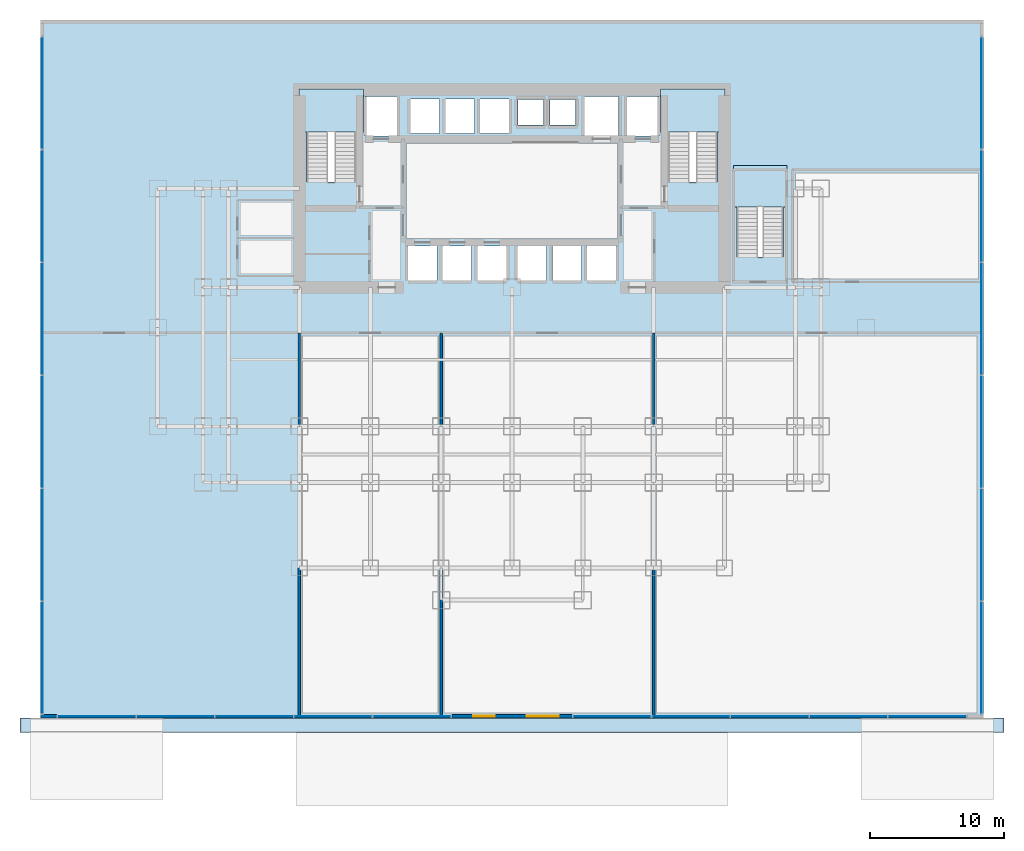
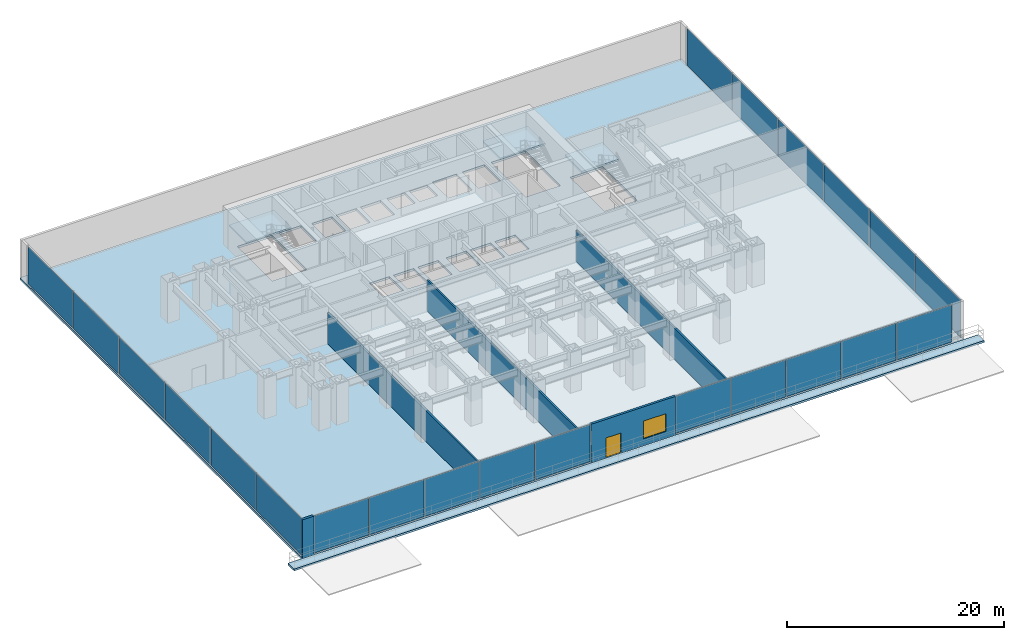
# One storey, part 8 of 13: 22 plates, 5 slabs, 5 walls, 1 door, 1 window, 2 openings, 7 elements without a shape of their own.
"""IFC4 building model written with IfcOpenShell, lengths in metres."""

import ifcopenshell
import ifcopenshell.guid

model = None  # the IFC model being written
_history = None  # IfcOwnerHistory: only IFC2X3 demands one
_inside = {}  # id of a spatial element -> (the spatial element, [elements in it])
_under = {}  # id of a project, library or spatial element -> (it, [spatial elements below it])
_declared = {}  # id of a project -> (the project, [libraries it declares])
_typed = {}  # id of a type object -> (the type object, [elements of that type])
_made_of = {}  # id of a material, layer set ... -> (it, [elements and type objects made of it])


def new_model(schema):
    """Start an empty IFC model of exactly this schema.

    Asked for "IFC4X3", IfcOpenShell would pick the latest addendum, in which some entities
    have other attributes; the version numbers below select the first issue.
    IFC2X3 requires an IfcOwnerHistory on every rooted entity: one is made here for all.
    """
    global model, _history
    if schema == "IFC4X3":
        model = ifcopenshell.file(schema_version=(4, 3, 0, 0))
    else:
        model = ifcopenshell.file(schema=schema)
    _inside.clear()
    _under.clear()
    _declared.clear()
    _typed.clear()
    _made_of.clear()
    _history = None
    if model.schema == "IFC2X3":
        org = make("IfcOrganization", Name="unknown")
        user = make(
            "IfcPersonAndOrganization",
            ThePerson=make("IfcPerson", FamilyName="unknown"),
            TheOrganization=org,
        )
        app = make(
            "IfcApplication",
            ApplicationDeveloper=org,
            Version="unknown",
            ApplicationFullName="unknown",
            ApplicationIdentifier="unknown",
        )
        _history = make(
            "IfcOwnerHistory",
            OwningUser=user,
            OwningApplication=app,
            ChangeAction="ADDED",
            CreationDate=0,
        )
    return model


def make(cls, **values):
    """One entity of the class cls with the attributes given. An attribute that is None is left unset."""
    return model.create_entity(
        cls, **{name: value for name, value in values.items() if value is not None}
    )


def rooted(cls, **values):
    """An entity with a GlobalId (a new one), such as an element, a storey or a relation."""
    return make(cls, GlobalId=ifcopenshell.guid.new(), OwnerHistory=_history, **values)


def si_unit(unit_type, name, prefix=None):
    """IfcSIUnit, for example si_unit("LENGTHUNIT", "METRE", prefix="MILLI")."""
    return make("IfcSIUnit", UnitType=unit_type, Prefix=prefix, Name=name)


def assignment(units):
    """IfcUnitAssignment: the units of a project."""
    return None if units is None else make("IfcUnitAssignment", Units=units)


def point(xyz):
    """IfcCartesianPoint."""
    return None if xyz is None else make("IfcCartesianPoint", Coordinates=xyz)


def direction(xyz):
    """IfcDirection."""
    return None if xyz is None else make("IfcDirection", DirectionRatios=xyz)


def frame(location, z_axis=None, x_axis=None):
    """IfcAxis2Placement3D, a coordinate frame: its origin and axes. An axis left out is left unset."""
    return make(
        "IfcAxis2Placement3D",
        Location=point(location),
        Axis=direction(z_axis),
        RefDirection=direction(x_axis),
    )


def frame_2d(location, x_axis=None):
    """IfcAxis2Placement2D, a coordinate frame in the plane: its origin and x axis."""
    return make(
        "IfcAxis2Placement2D", Location=point(location), RefDirection=direction(x_axis)
    )


def origin():
    """The frame at (0, 0, 0) with its axes left unset."""
    return frame((0.0, 0.0, 0.0))


def origin_2d():
    """The frame at (0, 0) in the plane with its x axis left unset."""
    return frame_2d((0.0, 0.0))


def place(relative_to, where):
    """IfcLocalPlacement: puts the frame where relative to a parent placement (None: the world)."""
    return make(
        "IfcLocalPlacement", PlacementRelTo=relative_to, RelativePlacement=where
    )


def context(
    kind, dimensions, precision=None, world=None, true_north=None, identifier=None
):
    """IfcGeometricRepresentationContext, for example the 3D "Model" context."""
    return make(
        "IfcGeometricRepresentationContext",
        ContextIdentifier=identifier,
        ContextType=kind,
        CoordinateSpaceDimension=dimensions,
        Precision=precision,
        WorldCoordinateSystem=world,
        TrueNorth=true_north,
    )


def subcontext(parent, identifier, kind, view, scale=None):
    """IfcGeometricRepresentationSubContext, for example "Body" below "Model"."""
    return make(
        "IfcGeometricRepresentationSubContext",
        ContextIdentifier=identifier,
        ContextType=kind,
        ParentContext=parent,
        TargetScale=scale,
        TargetView=view,
    )


def project(units=None, contexts=None):
    """IfcProject with its units and contexts."""
    return rooted(
        "IfcProject",
        Name="project",
        RepresentationContexts=contexts,
        UnitsInContext=assignment(units),
    )


def spatial(cls, under=None, at=None, **own):
    """A site, building, storey or space (cls), placed at a placement, below another one or the project."""
    s = rooted(cls, ObjectPlacement=at, **own)
    if under is not None:
        _under.setdefault(under.id(), (under, []))[1].append(s)
    return s


def polyline(points):
    """IfcPolyline through the points."""
    return make("IfcPolyline", Points=[point(p) for p in points])


def profile(cls, at=None, kind="AREA", **sizes):
    """A parametric profile (cls). Its sizes go by their IFC names, for example OverallWidth=200.0."""
    return make(cls, ProfileType=kind, Position=at, **sizes)


def rectangle(**sizes):
    """IfcRectangleProfileDef."""
    return profile("IfcRectangleProfileDef", **sizes)


def outline(outer, holes=None, kind="AREA"):
    """IfcArbitraryClosedProfileDef: a profile drawn as a closed curve; with holes, ...WithVoids."""
    if holes is None:
        return make("IfcArbitraryClosedProfileDef", ProfileType=kind, OuterCurve=outer)
    return make(
        "IfcArbitraryProfileDefWithVoids",
        ProfileType=kind,
        OuterCurve=outer,
        InnerCurves=holes,
    )


def extrude(swept, where, along, depth):
    """IfcExtrudedAreaSolid: the profile swept, set in the frame where, extruded along a direction by depth."""
    return make(
        "IfcExtrudedAreaSolid",
        SweptArea=swept,
        Position=where,
        ExtrudedDirection=direction(along),
        Depth=depth,
    )


def shape(context_of_items, identifier, shape_type, items):
    """IfcShapeRepresentation: the items that make up one representation, for example the "Body"."""
    return make(
        "IfcShapeRepresentation",
        ContextOfItems=context_of_items,
        RepresentationIdentifier=identifier,
        RepresentationType=shape_type,
        Items=items,
    )


def source(mapping_origin, context_of_items, identifier, shape_type, items):
    """IfcRepresentationMap: a shape defined once, which mapped items show again and again."""
    return make(
        "IfcRepresentationMap",
        MappingOrigin=mapping_origin,
        MappedRepresentation=shape(context_of_items, identifier, shape_type, items),
    )


def transform(
    local_origin,
    x_axis=None,
    y_axis=None,
    z_axis=None,
    scale=None,
    scale2=None,
    scale3=None,
    uniform=True,
):
    """IfcCartesianTransformationOperator3D, or its non-uniform kind. x_axis, y_axis, z_axis: its Axis1, 2, 3."""
    if uniform:
        return make(
            "IfcCartesianTransformationOperator3D",
            Axis1=direction(x_axis),
            Axis2=direction(y_axis),
            LocalOrigin=point(local_origin),
            Scale=scale,
            Axis3=direction(z_axis),
        )
    return make(
        "IfcCartesianTransformationOperator3DnonUniform",
        Axis1=direction(x_axis),
        Axis2=direction(y_axis),
        LocalOrigin=point(local_origin),
        Scale=scale,
        Axis3=direction(z_axis),
        Scale2=scale2,
        Scale3=scale3,
    )


def mapped(mapping_source, mapping_target):
    """IfcMappedItem: shows the shape of a source again, moved by a transform."""
    return make(
        "IfcMappedItem", MappingSource=mapping_source, MappingTarget=mapping_target
    )


def material(Name=None, Category=None):
    """IfcMaterial."""
    return make("IfcMaterial", Name=Name, Category=Category)


def layer(
    of_material, thickness, ventilated=None, Name=None, Category=None, Priority=None
):
    """IfcMaterialLayer: one layer of a wall or slab, of a material (None: an air gap)."""
    return make(
        "IfcMaterialLayer",
        Material=of_material,
        LayerThickness=thickness,
        IsVentilated=ventilated,
        Name=Name,
        Category=Category,
        Priority=Priority,
    )


def layer_set(layers, Name=None):
    """IfcMaterialLayerSet."""
    return make("IfcMaterialLayerSet", MaterialLayers=layers, LayerSetName=Name)


def made_of(thing, what):
    """Note that an element or type object is made of a material, layer set ...; save() writes the relation."""
    if what is not None:
        _made_of.setdefault(what.id(), (what, []))[1].append(thing)
    return thing


def type_object(cls, material=None, **own):
    """A type object (cls), such as IfcWallType, which elements share."""
    return made_of(rooted(cls, **own), material)


def element(
    cls,
    number,
    at=None,
    inside=None,
    cuts=None,
    type_object=None,
    material=None,
    context=None,
    identifier="Body",
    shape_type=None,
    held_by="IfcProductDefinitionShape",
    body=None,
    shapes=None,
    **own,
):
    """One element of the class cls, such as IfcWall. Its Tag is "e" and its number.

    at: its placement. inside: the storey or other place that contains it. cuts: it is an
    opening in that element (IfcRelVoidsElement). A single representation is given by context,
    identifier, shape_type and body (its items); several are given by shapes. held_by: the class
    of the entity that holds the representations. save() writes the other relations.
    """
    e = rooted(cls, Tag="e%d" % number, ObjectPlacement=at, **own)
    if body is not None:
        shapes = [shape(context, identifier, shape_type, body)]
    if shapes is not None:
        e.Representation = make(held_by, Representations=shapes)
    if inside is not None:
        _inside.setdefault(inside.id(), (inside, []))[1].append(e)
    if cuts is not None:
        rooted(
            "IfcRelVoidsElement", RelatingBuildingElement=cuts, RelatedOpeningElement=e
        )
    if type_object is not None:
        _typed.setdefault(type_object.id(), (type_object, []))[1].append(e)
    return made_of(e, material)


def fill(opening, filler):
    """IfcRelFillsElement: the door or window that sits in an opening."""
    return rooted(
        "IfcRelFillsElement",
        RelatingOpeningElement=opening,
        RelatedBuildingElement=filler,
    )


def aggregate(whole, parts):
    """IfcRelAggregates: a whole, such as a stair, and the parts it consists of."""
    return rooted("IfcRelAggregates", RelatingObject=whole, RelatedObjects=parts)


def save(model, path):
    """Write the relations noted so far, then the file.

    IfcRelAggregates (storeys below a building ...), IfcRelContainedInSpatialStructure (elements
    in a storey), IfcRelDefinesByType, IfcRelAssociatesMaterial and IfcRelDeclares: one each for
    every whole, place, type object, material and project.
    """
    for whole, parts in _under.values():
        aggregate(whole, parts)
    for where, things in _inside.values():
        rooted(
            "IfcRelContainedInSpatialStructure",
            RelatedElements=things,
            RelatingStructure=where,
        )
    for kind, things in _typed.values():
        rooted("IfcRelDefinesByType", RelatedObjects=things, RelatingType=kind)
    for what, things in _made_of.values():
        rooted("IfcRelAssociatesMaterial", RelatedObjects=things, RelatingMaterial=what)
    for by, libraries in _declared.values():
        rooted("IfcRelDeclares", RelatingContext=by, RelatedDefinitions=libraries)
    model.write(path)


model = new_model("IFC4")

# Units and contexts
model_context = context("Model", 3, precision=1e-05, world=origin(), true_north=direction((0.0, 1.0)))
body_context = subcontext(model_context, "Body", "Model", "MODEL_VIEW")
ifc_project = project(units=[si_unit("LENGTHUNIT", "METRE"), si_unit("AREAUNIT", "SQUARE_METRE"), si_unit("VOLUMEUNIT", "CUBIC_METRE"), si_unit("PLANEANGLEUNIT", "RADIAN"), si_unit("MASSUNIT", "GRAM", prefix="KILO")], contexts=[model_context])

# Site, building, storey
site_placement = place(None, origin())
site = spatial("IfcSite", under=ifc_project, at=site_placement, CompositionType="ELEMENT")
building_placement = place(site_placement, origin())
building = spatial("IfcBuilding", under=site, at=building_placement, Name="Qianlan Lanfeng Residences", CompositionType="ELEMENT")
storey_placement = place(building_placement, frame((0.0, 0.0, 5.199951171875)))
storey = spatial("IfcBuildingStorey", under=building, at=storey_placement, Name="L01", CompositionType="ELEMENT", Elevation=5.199951171875)

# Slab
ifc_material_1 = material(Name="Concrete C49", Category="concrete")
ifc_layer_1 = layer(ifc_material_1, 0.25)
ifc_layer_set_1 = layer_set([ifc_layer_1], Name="Concrete C49")
slab_type_1 = type_object("IfcSlabType", Name="S-FL-250", PredefinedType="FLOOR", material=ifc_layer_set_1)
slab_1_placement = place(storey_placement, frame((0.0, 0.0, -0.25)))
element("IfcSlab", 1, at=slab_1_placement, inside=storey, type_object=slab_type_1, Name="L01 Structural Floor Slab", PredefinedType="FLOOR", context=body_context, shape_type="SweptSolid", body=[
    extrude(outline(polyline([(-8.75, -7.0), (61.75, -7.0), (61.75, 45.199951171875), (-8.75, 45.199951171875), (-8.75, -7.0)]), holes=[polyline([(11.139892578125, 33.080078125), (11.139892578125, 39.5), (14.820068359375, 39.5), (14.820068359375, 33.080078125), (11.139892578125, 33.080078125)]), polyline([(38.179931640625, 33.080078125), (38.179931640625, 39.5), (41.860107421875, 39.5), (41.860107421875, 33.080078125), (38.179931640625, 33.080078125)]), polyline([(43.320068359375, 27.47998046875), (43.320068359375, 33.780029296875), (46.800048828125, 33.780029296875), (46.800048828125, 27.47998046875), (43.320068359375, 27.47998046875)]), polyline([(15.52001953125, 36.52001953125), (15.52001953125, 39.47998046875), (17.8798828125, 39.47998046875), (17.8798828125, 36.52001953125), (15.52001953125, 36.52001953125)]), polyline([(35.1201171875, 36.52001953125), (35.1201171875, 39.47998046875), (37.47998046875, 39.47998046875), (37.47998046875, 36.52001953125), (35.1201171875, 36.52001953125)]), polyline([(31.919921875, 36.52001953125), (31.919921875, 39.47998046875), (34.47998046875, 39.47998046875), (34.47998046875, 36.52001953125), (31.919921875, 36.52001953125)]), polyline([(18.719970703125, 25.719970703125), (18.719970703125, 28.280029296875), (20.8798828125, 28.280029296875), (20.8798828125, 25.719970703125), (18.719970703125, 25.719970703125)]), polyline([(21.320068359375, 25.719970703125), (21.320068359375, 28.280029296875), (23.47998046875, 28.280029296875), (23.47998046875, 25.719970703125), (21.320068359375, 25.719970703125)]), polyline([(23.919921875, 25.719970703125), (23.919921875, 28.280029296875), (26.080078125, 28.280029296875), (26.080078125, 25.719970703125), (23.919921875, 25.719970703125)]), polyline([(26.919921875, 25.719970703125), (26.919921875, 28.280029296875), (29.080078125, 28.280029296875), (29.080078125, 25.719970703125), (26.919921875, 25.719970703125)]), polyline([(29.52001953125, 25.719970703125), (29.52001953125, 28.280029296875), (31.679931640625, 28.280029296875), (31.679931640625, 25.719970703125), (29.52001953125, 25.719970703125)]), polyline([(32.1201171875, 25.719970703125), (32.1201171875, 28.280029296875), (34.280029296875, 28.280029296875), (34.280029296875, 25.719970703125), (32.1201171875, 25.719970703125)]), polyline([(18.919921875, 36.719970703125), (18.919921875, 39.280029296875), (21.080078125, 39.280029296875), (21.080078125, 36.719970703125), (18.919921875, 36.719970703125)]), polyline([(21.52001953125, 36.719970703125), (21.52001953125, 39.280029296875), (23.679931640625, 39.280029296875), (23.679931640625, 36.719970703125), (21.52001953125, 36.719970703125)]), polyline([(24.1201171875, 36.719970703125), (24.1201171875, 39.280029296875), (26.280029296875, 39.280029296875), (26.280029296875, 36.719970703125), (24.1201171875, 36.719970703125)]), polyline([(26.949951171875, 37.35009765625), (26.949951171875, 39.25), (28.85009765625, 39.25), (28.85009765625, 37.35009765625), (26.949951171875, 37.35009765625)]), polyline([(29.35009765625, 37.35009765625), (29.35009765625, 39.25), (31.25, 39.25), (31.25, 37.35009765625), (29.35009765625, 37.35009765625)])]), origin(), (0.0, 0.0, 1.0), 0.25),
])

# Stair, slab
ifc_material_2 = material(Name="Concrete C42", Category="concrete")
stair_type_1 = type_object("IfcStairType", Name="STR-MAIN", PredefinedType="HALF_TURN_STAIR", material=ifc_material_2)
stair_1_placement = place(storey_placement, origin())
stair_1 = element("IfcStair", 2, at=stair_1_placement, inside=storey, type_object=stair_type_1, Name="L01 Exit Stair ST-1", PredefinedType="HALF_TURN_STAIR")
ifc_layer_2 = layer(ifc_material_2, 0.179931640625)
ifc_layer_set_2 = layer_set([ifc_layer_2], Name="Concrete C42")
slab_type_2 = type_object("IfcSlabType", Name="S-LND-180", PredefinedType="LANDING", material=ifc_layer_set_2)
slab_2_placement = place(storey_placement, frame((0.0, 0.0, 2.10009765625)))
slab_2 = element("IfcSlab", 3, at=slab_2_placement, type_object=slab_type_2, Name="ST-1 landing 1", PredefinedType="LANDING", context=body_context, shape_type="SweptSolid", body=[
    extrude(outline(polyline([(10.580078125, 36.820068359375), (15.3798828125, 36.820068359375), (15.3798828125, 40.050048828125), (10.580078125, 40.050048828125), (10.580078125, 36.820068359375)])), origin(), (0.0, 0.0, 1.0), 0.199951171875),
])
aggregate(stair_1, [slab_2])

stair_2_placement = place(storey_placement, origin())
stair_2 = element("IfcStair", 4, at=stair_2_placement, inside=storey, type_object=stair_type_1, Name="L01 Exit Stair ST-2", PredefinedType="HALF_TURN_STAIR")
slab_3_placement = place(storey_placement, frame((0.0, 0.0, 2.10009765625)))
slab_3 = element("IfcSlab", 5, at=slab_3_placement, type_object=slab_type_2, Name="ST-2 landing 1", PredefinedType="LANDING", context=body_context, shape_type="SweptSolid", body=[
    extrude(outline(polyline([(37.6201171875, 36.820068359375), (42.419921875, 36.820068359375), (42.419921875, 40.050048828125), (37.6201171875, 40.050048828125), (37.6201171875, 36.820068359375)])), origin(), (0.0, 0.0, 1.0), 0.199951171875),
])
aggregate(stair_2, [slab_3])

stair_type_2 = type_object("IfcStairType", Name="STR-POD", PredefinedType="HALF_TURN_STAIR", material=ifc_material_2)
stair_3_placement = place(storey_placement, origin())
stair_3 = element("IfcStair", 6, at=stair_3_placement, inside=storey, type_object=stair_type_2, Name="L01 Exit Stair ST-P1", PredefinedType="HALF_TURN_STAIR")
slab_4_placement = place(storey_placement, frame((0.0, 0.0, 2.10009765625)))
slab_4 = element("IfcSlab", 7, at=slab_4_placement, type_object=slab_type_2, Name="ST-P1 landing 1", PredefinedType="LANDING", context=body_context, shape_type="SweptSolid", body=[
    extrude(outline(polyline([(43.06005859375, 31.219970703125), (47.06005859375, 31.219970703125), (47.06005859375, 34.330078125), (43.06005859375, 34.330078125), (43.06005859375, 31.219970703125)])), origin(), (0.0, 0.0, 1.0), 0.199951171875),
])
aggregate(stair_3, [slab_4])

# Slab
ifc_layer_3 = layer(ifc_material_2, 0.219970703125)
ifc_layer_set_3 = layer_set([ifc_layer_3], Name="Concrete C42")
slab_type_3 = type_object("IfcSlabType", Name="S-TER-220", PredefinedType="FLOOR", material=ifc_layer_set_3)
slab_5_placement = place(storey_placement, frame((0.0, 0.0, -0.219970703125)))
element("IfcSlab", 8, at=slab_5_placement, inside=storey, type_object=slab_type_3, Name="L01 Planted Podium Terrace Slab", PredefinedType="FLOOR", context=body_context, shape_type="SweptSolid", body=[
    extrude(outline(polyline([(61.75, -7.0), (-8.75, -7.0), (-10.300048828125, -7.0), (-10.300048828125, -8.10009765625), (63.300048828125, -8.10009765625), (63.300048828125, -7.0), (61.75, -7.0)])), origin(), (0.0, 0.0, 1.0), 0.219970703125),
])

# Curtain wall, plates
ifc_material_3 = material(Name="Anodised Bronze Aluminium 6063-T6", Category="aluminium")
ifc_layer_4 = layer(ifc_material_3, 0.219970703125)
ifc_layer_set_4 = layer_set([ifc_layer_4], Name="Anodised Bronze Aluminium 6063-T6")
curtain_wall_type = type_object("IfcCurtainWallType", Name="CW-01", PredefinedType="NOTDEFINED", material=ifc_layer_set_4)
curtain_wall_1_placement = place(storey_placement, origin())
curtain_wall_1 = element("IfcCurtainWall", 9, at=curtain_wall_1_placement, inside=storey, type_object=curtain_wall_type, Name="L01 Unitised Curtain Wall CWR-L01-SW (CW-01)", PredefinedType="NOTDEFINED")
ifc_material_4 = material(Name="Clear Low-E Insulated Glass", Category="glass")
ifc_layer_5 = layer(ifc_material_4, 0.035888671875)
ifc_layer_set_5 = layer_set([ifc_layer_5], Name="Clear Low-E Insulated Glass")
plate_type_1 = type_object("IfcPlateType", Name="PNL-GLZ-CLR", PredefinedType="CURTAIN_PANEL", material=ifc_layer_set_5)
shared_shape_1 = source(origin(), body_context, "Body", "SweptSolid", [
    extrude(rectangle(XDim=5.81591796875, YDim=0.035888671875, at=origin_2d()), origin(), (0.0, 0.0, 1.0), 4.19189453125),
])
plate_1_placement = place(storey_placement, frame((-4.56298828125, -6.8798828125, 0.0791015625), z_axis=(0.0, 0.0, 1.0), x_axis=(1.0, 0.0, 0.0)))
plate_1 = element("IfcPlate", 10, at=plate_1_placement, type_object=plate_type_1, Name="CWR-L01-SW Curtain Panel 1", PredefinedType="CURTAIN_PANEL", context=body_context, shape_type="MappedRepresentation", body=[
    mapped(shared_shape_1, transform((0.0, 0.0, 0.0), scale=1.0)),
])
plate_2_placement = place(storey_placement, frame((1.3310546875, -6.8798828125, 0.0791015625), z_axis=(0.0, 0.0, 1.0), x_axis=(1.0, 0.0, 0.0)))
plate_2 = element("IfcPlate", 11, at=plate_2_placement, type_object=plate_type_1, Name="CWR-L01-SW Curtain Panel 2", PredefinedType="CURTAIN_PANEL", context=body_context, shape_type="MappedRepresentation", body=[
    mapped(shared_shape_1, transform((0.0, 0.0, 0.0), scale=1.0)),
])
plate_3_placement = place(storey_placement, frame((13.118896484375, -6.8798828125, 0.0791015625), z_axis=(0.0, 0.0, 1.0), x_axis=(1.0, 0.0, 0.0)))
plate_3 = element("IfcPlate", 12, at=plate_3_placement, type_object=plate_type_1, Name="CWR-L01-SW Curtain Panel 4", PredefinedType="CURTAIN_PANEL", context=body_context, shape_type="MappedRepresentation", body=[
    mapped(shared_shape_1, transform((0.0, 0.0, 0.0), scale=1.0)),
])
plate_4_placement = place(storey_placement, frame((19.012939453125, -6.8798828125, 0.0791015625), z_axis=(0.0, 0.0, 1.0), x_axis=(1.0, 0.0, 0.0)))
plate_4 = element("IfcPlate", 13, at=plate_4_placement, type_object=plate_type_1, Name="CWR-L01-SW Curtain Panel 5", PredefinedType="CURTAIN_PANEL", context=body_context, shape_type="MappedRepresentation", body=[
    mapped(shared_shape_1, transform((0.0, 0.0, 0.0), scale=1.0)),
])

curtain_wall_2_placement = place(storey_placement, origin())
curtain_wall_2 = element("IfcCurtainWall", 14, at=curtain_wall_2_placement, inside=storey, type_object=curtain_wall_type, Name="L01 Unitised Curtain Wall CWR-L01-SE (CW-01)", PredefinedType="NOTDEFINED")
plate_5_placement = place(storey_placement, frame((33.987060546875, -6.8798828125, 0.0791015625), z_axis=(0.0, 0.0, 1.0), x_axis=(1.0, 0.0, 0.0)))
plate_5 = element("IfcPlate", 15, at=plate_5_placement, type_object=plate_type_1, Name="CWR-L01-SE Curtain Panel 1", PredefinedType="CURTAIN_PANEL", context=body_context, shape_type="MappedRepresentation", body=[
    mapped(shared_shape_1, transform((0.0, 0.0, 0.0), scale=1.0)),
])
plate_6_placement = place(storey_placement, frame((39.881103515625, -6.8798828125, 0.0791015625), z_axis=(0.0, 0.0, 1.0), x_axis=(1.0, 0.0, 0.0)))
plate_6 = element("IfcPlate", 16, at=plate_6_placement, type_object=plate_type_1, Name="CWR-L01-SE Curtain Panel 2", PredefinedType="CURTAIN_PANEL", context=body_context, shape_type="MappedRepresentation", body=[
    mapped(shared_shape_1, transform((0.0, 0.0, 0.0), scale=1.0)),
])
plate_7_placement = place(storey_placement, frame((51.6689453125, -6.8798828125, 0.0791015625), z_axis=(0.0, 0.0, 1.0), x_axis=(1.0, 0.0, 0.0)))
plate_7 = element("IfcPlate", 17, at=plate_7_placement, type_object=plate_type_1, Name="CWR-L01-SE Curtain Panel 4", PredefinedType="CURTAIN_PANEL", context=body_context, shape_type="MappedRepresentation", body=[
    mapped(shared_shape_1, transform((0.0, 0.0, 0.0), scale=1.0)),
])
plate_8_placement = place(storey_placement, frame((57.56298828125, -6.8798828125, 0.0791015625), z_axis=(0.0, 0.0, 1.0), x_axis=(1.0, 0.0, 0.0)))
plate_8 = element("IfcPlate", 18, at=plate_8_placement, type_object=plate_type_1, Name="CWR-L01-SE Curtain Panel 5", PredefinedType="CURTAIN_PANEL", context=body_context, shape_type="MappedRepresentation", body=[
    mapped(shared_shape_1, transform((0.0, 0.0, 0.0), scale=1.0)),
])

# Plate
ifc_material_5 = material(Name="Perforated Anodised Bronze Aluminium Panel", Category="aluminium")
ifc_layer_6 = layer(ifc_material_5, 0.0419921875)
ifc_layer_set_6 = layer_set([ifc_layer_6], Name="Perforated Anodised Bronze Aluminium Panel")
plate_type_2 = type_object("IfcPlateType", Name="PNL-PRF-BRZ", PredefinedType="CURTAIN_PANEL", material=ifc_layer_set_6)
shared_shape_2 = source(origin(), body_context, "Body", "SweptSolid", [
    extrude(rectangle(XDim=5.81591796875, YDim=0.0419921875, at=origin_2d()), origin(), (0.0, 0.0, 1.0), 4.19189453125),
])
plate_9_placement = place(storey_placement, frame((7.22509765625, -6.8798828125, 0.0791015625), z_axis=(0.0, 0.0, 1.0), x_axis=(1.0, 0.0, 0.0)))
plate_9 = element("IfcPlate", 19, at=plate_9_placement, type_object=plate_type_2, Name="CWR-L01-SW Curtain Panel 3", PredefinedType="CURTAIN_PANEL", context=body_context, shape_type="MappedRepresentation", body=[
    mapped(shared_shape_2, transform((0.0, 0.0, 0.0), scale=1.0)),
])

aggregate(curtain_wall_1, [plate_1, plate_2, plate_9, plate_3, plate_4])

ifc_material_6 = material(Name="Perforated Champagne Gold Aluminium Panel", Category="aluminium")
ifc_layer_7 = layer(ifc_material_6, 0.0400390625)
ifc_layer_set_7 = layer_set([ifc_layer_7], Name="Perforated Champagne Gold Aluminium Panel")
plate_type_3 = type_object("IfcPlateType", Name="PNL-PRF-GLD", PredefinedType="CURTAIN_PANEL", material=ifc_layer_set_7)
shared_shape_3 = source(origin(), body_context, "Body", "SweptSolid", [
    extrude(rectangle(XDim=5.81591796875, YDim=0.0400390625, at=origin_2d()), origin(), (0.0, 0.0, 1.0), 4.19189453125),
])
plate_10_placement = place(storey_placement, frame((45.77490234375, -6.8798828125, 0.0791015625), z_axis=(0.0, 0.0, 1.0), x_axis=(1.0, 0.0, 0.0)))
plate_10 = element("IfcPlate", 20, at=plate_10_placement, type_object=plate_type_3, Name="CWR-L01-SE Curtain Panel 3", PredefinedType="CURTAIN_PANEL", context=body_context, shape_type="MappedRepresentation", body=[
    mapped(shared_shape_3, transform((0.0, 0.0, 0.0), scale=1.0)),
])

aggregate(curtain_wall_2, [plate_5, plate_6, plate_10, plate_7, plate_8])

# Curtain wall, plates
curtain_wall_3_placement = place(storey_placement, origin())
curtain_wall_3 = element("IfcCurtainWall", 21, at=curtain_wall_3_placement, inside=storey, type_object=curtain_wall_type, Name="L01 Unitised Curtain Wall CWR-L01-E (CW-01)", PredefinedType="NOTDEFINED")
shared_shape_4 = source(origin(), body_context, "Body", "SweptSolid", [
    extrude(rectangle(XDim=8.36865234375, YDim=0.035888671875, at=origin_2d()), origin(), (0.0, 0.0, 1.0), 4.19189453125),
])
plate_11_placement = place(storey_placement, frame((61.6298828125, -2.49658203125, 0.0791015625), z_axis=(0.0, 0.0, 1.0), x_axis=(0.0, 1.0, 0.0)))
plate_11 = element("IfcPlate", 22, at=plate_11_placement, type_object=plate_type_1, Name="CWR-L01-E Curtain Panel 1", PredefinedType="CURTAIN_PANEL", context=body_context, shape_type="MappedRepresentation", body=[
    mapped(shared_shape_4, transform((0.0, 0.0, 0.0), scale=1.0)),
])
plate_12_placement = place(storey_placement, frame((61.6298828125, 14.396484375, 0.0791015625), z_axis=(0.0, 0.0, 1.0), x_axis=(0.0, 1.0, 0.0)))
plate_12 = element("IfcPlate", 23, at=plate_12_placement, type_object=plate_type_1, Name="CWR-L01-E Curtain Panel 3", PredefinedType="CURTAIN_PANEL", context=body_context, shape_type="MappedRepresentation", body=[
    mapped(shared_shape_4, transform((0.0, 0.0, 0.0), scale=1.0)),
])
plate_13_placement = place(storey_placement, frame((61.6298828125, 22.843505859375, 0.0791015625), z_axis=(0.0, 0.0, 1.0), x_axis=(0.0, 1.0, 0.0)))
plate_13 = element("IfcPlate", 24, at=plate_13_placement, type_object=plate_type_1, Name="CWR-L01-E Curtain Panel 4", PredefinedType="CURTAIN_PANEL", context=body_context, shape_type="MappedRepresentation", body=[
    mapped(shared_shape_4, transform((0.0, 0.0, 0.0), scale=1.0)),
])
plate_14_placement = place(storey_placement, frame((61.6298828125, 39.73681640625, 0.0791015625), z_axis=(0.0, 0.0, 1.0), x_axis=(0.0, 1.0, 0.0)))
plate_14 = element("IfcPlate", 25, at=plate_14_placement, type_object=plate_type_1, Name="CWR-L01-E Curtain Panel 6", PredefinedType="CURTAIN_PANEL", context=body_context, shape_type="MappedRepresentation", body=[
    mapped(shared_shape_4, transform((0.0, 0.0, 0.0), scale=1.0)),
])

curtain_wall_4_placement = place(storey_placement, origin())
curtain_wall_4 = element("IfcCurtainWall", 26, at=curtain_wall_4_placement, inside=storey, type_object=curtain_wall_type, Name="L01 Unitised Curtain Wall CWR-L01-W (CW-01)", PredefinedType="NOTDEFINED")
plate_15_placement = place(storey_placement, frame((-8.6298828125, 39.736572265625, 0.0791015625), z_axis=(0.0, 0.0, 1.0), x_axis=(0.0, -1.0, 0.0)))
plate_15 = element("IfcPlate", 27, at=plate_15_placement, type_object=plate_type_1, Name="CWR-L01-W Curtain Panel 1", PredefinedType="CURTAIN_PANEL", context=body_context, shape_type="MappedRepresentation", body=[
    mapped(shared_shape_4, transform((0.0, 0.0, 0.0), scale=1.0)),
])
plate_16_placement = place(storey_placement, frame((-8.6298828125, 22.843505859375, 0.0791015625), z_axis=(0.0, 0.0, 1.0), x_axis=(0.0, -1.0, 0.0)))
plate_16 = element("IfcPlate", 28, at=plate_16_placement, type_object=plate_type_1, Name="CWR-L01-W Curtain Panel 3", PredefinedType="CURTAIN_PANEL", context=body_context, shape_type="MappedRepresentation", body=[
    mapped(shared_shape_4, transform((0.0, 0.0, 0.0), scale=1.0)),
])
plate_17_placement = place(storey_placement, frame((-8.6298828125, 14.396728515625, 0.0791015625), z_axis=(0.0, 0.0, 1.0), x_axis=(0.0, -1.0, 0.0)))
plate_17 = element("IfcPlate", 29, at=plate_17_placement, type_object=plate_type_1, Name="CWR-L01-W Curtain Panel 4", PredefinedType="CURTAIN_PANEL", context=body_context, shape_type="MappedRepresentation", body=[
    mapped(shared_shape_4, transform((0.0, 0.0, 0.0), scale=1.0)),
])
plate_18_placement = place(storey_placement, frame((-8.6298828125, -2.49658203125, 0.0791015625), z_axis=(0.0, 0.0, 1.0), x_axis=(0.0, -1.0, 0.0)))
plate_18 = element("IfcPlate", 30, at=plate_18_placement, type_object=plate_type_1, Name="CWR-L01-W Curtain Panel 6", PredefinedType="CURTAIN_PANEL", context=body_context, shape_type="MappedRepresentation", body=[
    mapped(shared_shape_4, transform((0.0, 0.0, 0.0), scale=1.0)),
])

# Plate
shared_shape_5 = source(origin(), body_context, "Body", "SweptSolid", [
    extrude(rectangle(XDim=8.36865234375, YDim=0.0400390625, at=origin_2d()), origin(), (0.0, 0.0, 1.0), 4.19189453125),
])
plate_19_placement = place(storey_placement, frame((61.6298828125, 5.949951171875, 0.0791015625), z_axis=(0.0, 0.0, 1.0), x_axis=(0.0, 1.0, 0.0)))
plate_19 = element("IfcPlate", 31, at=plate_19_placement, type_object=plate_type_3, Name="CWR-L01-E Curtain Panel 2", PredefinedType="CURTAIN_PANEL", context=body_context, shape_type="MappedRepresentation", body=[
    mapped(shared_shape_5, transform((0.0, 0.0, 0.0), scale=1.0)),
])

shared_shape_6 = source(origin(), body_context, "Body", "SweptSolid", [
    extrude(rectangle(XDim=8.36865234375, YDim=0.0419921875, at=origin_2d()), origin(), (0.0, 0.0, 1.0), 4.19189453125),
])
plate_20_placement = place(storey_placement, frame((61.6298828125, 31.2900390625, 0.0791015625), z_axis=(0.0, 0.0, 1.0), x_axis=(0.0, 1.0, 0.0)))
plate_20 = element("IfcPlate", 32, at=plate_20_placement, type_object=plate_type_2, Name="CWR-L01-E Curtain Panel 5", PredefinedType="CURTAIN_PANEL", context=body_context, shape_type="MappedRepresentation", body=[
    mapped(shared_shape_6, transform((0.0, 0.0, 0.0), scale=1.0)),
])

aggregate(curtain_wall_3, [plate_11, plate_19, plate_12, plate_13, plate_20, plate_14])

plate_21_placement = place(storey_placement, frame((-8.6298828125, 31.2900390625, 0.0791015625), z_axis=(0.0, 0.0, 1.0), x_axis=(0.0, -1.0, 0.0)))
plate_21 = element("IfcPlate", 33, at=plate_21_placement, type_object=plate_type_2, Name="CWR-L01-W Curtain Panel 2", PredefinedType="CURTAIN_PANEL", context=body_context, shape_type="MappedRepresentation", body=[
    mapped(shared_shape_6, transform((0.0, 0.0, 0.0), scale=1.0)),
])

plate_22_placement = place(storey_placement, frame((-8.6298828125, 5.949951171875, 0.0791015625), z_axis=(0.0, 0.0, 1.0), x_axis=(0.0, -1.0, 0.0)))
plate_22 = element("IfcPlate", 34, at=plate_22_placement, type_object=plate_type_2, Name="CWR-L01-W Curtain Panel 5", PredefinedType="CURTAIN_PANEL", context=body_context, shape_type="MappedRepresentation", body=[
    mapped(shared_shape_6, transform((0.0, 0.0, 0.0), scale=1.0)),
])

aggregate(curtain_wall_4, [plate_15, plate_21, plate_16, plate_17, plate_22, plate_18])

# Wall
ifc_layer_8 = layer(ifc_material_2, 0.239990234375)
ifc_layer_set_8 = layer_set([ifc_layer_8], Name="Concrete C42")
wall_type_1 = type_object("IfcWallType", Name="EW-240", PredefinedType="SOLIDWALL", material=ifc_layer_set_8)
wall_1_placement = place(storey_placement, frame((-8.75, -6.8798828125, 0.0), z_axis=(0.0, 0.0, 1.0), x_axis=(1.0, 0.0, 0.0)))
element("IfcWall", 35, at=wall_1_placement, inside=storey, type_object=wall_type_1, Name="L01 SW Corner Pier", PredefinedType="SOLIDWALL", context=body_context, shape_type="SweptSolid", body=[
    extrude(rectangle(XDim=1.199951171875, YDim=0.239990234375, at=frame_2d((0.60009765625, 0.0))), origin(), (0.0, 0.0, 1.0), 4.35009765625),
])

# Wall, openings, door, window
wall_2_placement = place(storey_placement, frame((22.0, -6.8798828125, 0.0), z_axis=(0.0, 0.0, 1.0), x_axis=(1.0, 0.0, 0.0)))
wall_2 = element("IfcWall", 36, at=wall_2_placement, inside=storey, type_object=wall_type_1, Name="L01 South Terrace Access Exterior Wall", PredefinedType="SOLIDWALL", context=body_context, shape_type="SweptSolid", body=[
    extrude(rectangle(XDim=9.0, YDim=0.239990234375, at=frame_2d((4.5, 0.0))), origin(), (0.0, 0.0, 1.0), 4.35009765625),
])
opening_1_placement = place(wall_2_placement, frame((1.60009765625, 0.0, 0.0)))
opening_1 = element("IfcOpeningElement", 37, at=opening_1_placement, cuts=wall_2, Name="Opening L01-D-TER1", PredefinedType="OPENING", context=body_context, shape_type="SweptSolid", body=[
    extrude(rectangle(XDim=1.60009765625, YDim=2.25, at=frame_2d((0.800048828125, 1.125))), frame((0.0, 0.1298828125, 0.0), z_axis=(0.0, -1.0, 0.0), x_axis=(1.0, 0.0, 0.0)), (0.0, 0.0, 1.0), 0.260009765625),
])
opening_2_placement = place(wall_2_placement, frame((5.60009765625, 0.0, 0.75)))
opening_2 = element("IfcOpeningElement", 38, at=opening_2_placement, cuts=wall_2, Name="Opening W-05", PredefinedType="OPENING", context=body_context, shape_type="SweptSolid", body=[
    extrude(rectangle(XDim=2.39990234375, YDim=2.0, at=frame_2d((1.199951171875, 1.0))), frame((0.0, 0.1298828125, 0.0), z_axis=(0.0, -1.0, 0.0), x_axis=(1.0, 0.0, 0.0)), (0.0, 0.0, 1.0), 0.260009765625),
])
ifc_material_7 = material(Name="Anodised Bronze Aluminium Framed Glass", Category="aluminium")
door_type = type_object("IfcDoorType", Name="DT-TER1", OperationType="NOTDEFINED", PredefinedType="DOOR", material=ifc_material_7)
door_placement = place(opening_1_placement, frame((1.60009765625, 0.0, 0.0), z_axis=(0.0, 0.0, 1.0), x_axis=(-1.0, 0.0, 0.0)))
door = element("IfcDoor", 39, at=door_placement, inside=storey, type_object=door_type, Name="L01 Planted Podium Terrace Door", OperationType="DOUBLE_DOOR_SINGLE_SWING", OverallHeight=2.25, OverallWidth=1.60009765625, PredefinedType="DOOR", context=body_context, shape_type="SweptSolid", body=[
    extrude(rectangle(XDim=1.60009765625, YDim=2.25, at=frame_2d((0.800048828125, 1.125))), frame((0.0, 0.02490234375, 0.0), z_axis=(0.0, -1.0, 0.0), x_axis=(1.0, 0.0, 0.0)), (0.0, 0.0, 1.0), 0.050048828125),
])
fill(opening_1, door)
ifc_material_8 = material(Name="Anodised Bronze Aluminium Framed Double Glazing", Category="aluminium")
window_type = type_object("IfcWindowType", Name="W-05", PartitioningType="SINGLE_PANEL", PredefinedType="WINDOW", material=ifc_material_8)
window_placement = place(opening_2_placement, origin())
window = element("IfcWindow", 40, at=window_placement, inside=storey, type_object=window_type, Name="L01 Podium Feature Window", OverallHeight=2.0, OverallWidth=2.39990234375, PartitioningType="SINGLE_PANEL", PredefinedType="WINDOW", context=body_context, shape_type="SweptSolid", body=[
    extrude(rectangle(XDim=2.39990234375, YDim=2.0, at=frame_2d((1.199951171875, 1.0))), frame((0.0, 0.030029296875, 0.0), z_axis=(0.0, -1.0, 0.0), x_axis=(1.0, 0.0, 0.0)), (0.0, 0.0, 1.0), 0.06005859375),
])
fill(opening_2, window)

# Walls
ifc_material_9 = material(Name="Double-Layer Acoustic Gypsum Stud Wall 180 mm")
ifc_layer_9 = layer(ifc_material_9, 0.179931640625)
ifc_layer_set_9 = layer_set([ifc_layer_9], Name="Double-Layer Acoustic Gypsum Stud Wall 180 mm")
wall_type_2 = type_object("IfcWallType", Name="PW-180", PredefinedType="PARTITIONING", material=ifc_layer_set_9)
for number, where, z_axis, x_axis, name in (
    (41, (10.60009765625, -6.8798828125, 0.0), (0.0, 0.0, 1.0), (0.0, 1.0, 0.0), "L01 Podium Partition A1"),
    (42, (21.199951171875, -6.8798828125, 0.0), (0.0, 0.0, 1.0), (0.0, 1.0, 0.0), "L01 Podium Partition A2"),
    (43, (37.10009765625, -6.8798828125, 0.0), (0.0, 0.0, 1.0), (0.0, 1.0, 0.0), "L01 Podium Partition A3"),
):
    element("IfcWall", number, at=place(storey_placement, frame(where, z_axis=z_axis, x_axis=x_axis)), inside=storey, type_object=wall_type_2, Name=name, PredefinedType="PARTITIONING", context=body_context, shape_type="SweptSolid", body=[
        extrude(rectangle(XDim=28.679931640625, YDim=0.179931640625, at=frame_2d((14.33984375, 0.0))), origin(), (0.0, 0.0, 1.0), 3.4951171875),
    ])

save(model, "model.ifc")
